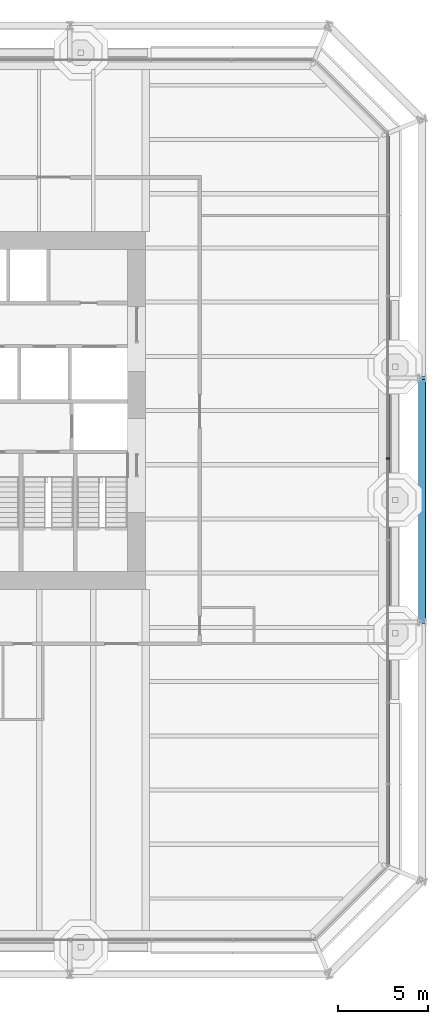
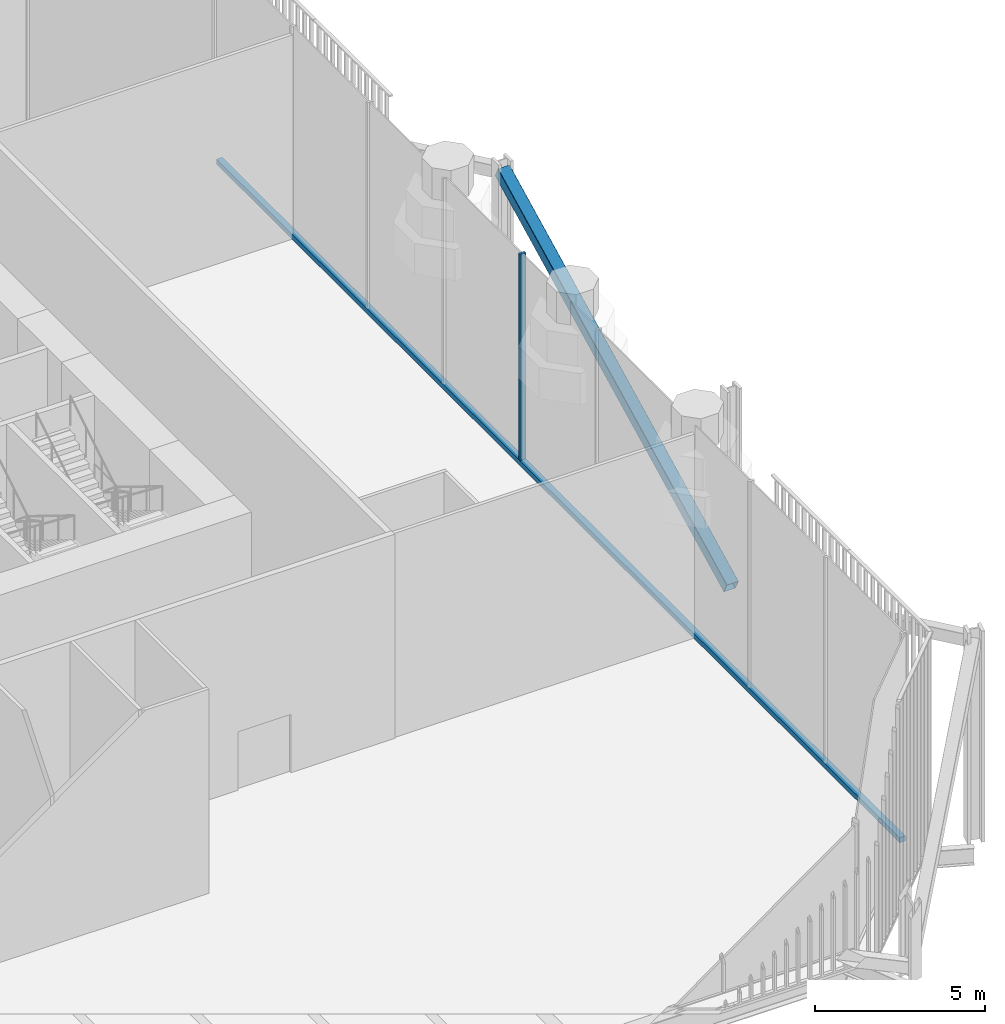
# One storey, part 7 of 18: 3 members, 1 element without a shape of its own.
"""IFC4 building model written with IfcOpenShell, lengths in metres."""

from ifc_helpers import new_model, si_unit, direction, frame, origin, origin_2d, place, context, subcontext, project, spatial, rectangle, hollow_rectangle, extrude, material, layer, layer_set, material_profile, profile_set, type_object, element, aggregate, save


model = new_model("IFC4")

# Units and contexts
model_context = context("Model", 3, precision=1e-05, world=origin(), true_north=direction((0.0, 1.0)))
body_context = subcontext(model_context, "Body", "Model", "MODEL_VIEW")
ifc_project = project(units=[si_unit("LENGTHUNIT", "METRE"), si_unit("AREAUNIT", "SQUARE_METRE"), si_unit("VOLUMEUNIT", "CUBIC_METRE"), si_unit("PLANEANGLEUNIT", "RADIAN"), si_unit("MASSUNIT", "GRAM", prefix="KILO")], contexts=[model_context])

# Site, building, storey
site_placement = place(None, origin())
site = spatial("IfcSite", under=ifc_project, at=site_placement, CompositionType="ELEMENT")
building_placement = place(site_placement, origin())
building = spatial("IfcBuilding", under=site, at=building_placement, Name="Millrace Tower", CompositionType="ELEMENT")
storey_placement = place(building_placement, frame((0.0, 0.0, 112.800048828125)))
storey = spatial("IfcBuildingStorey", under=building, at=storey_placement, Name="L25", CompositionType="ELEMENT", Elevation=112.800048828125)

# Curtain wall, members
ifc_material_1 = material(Name="Aluminium and glass", Category="aluminium")
ifc_layer = layer(ifc_material_1, 0.199951171875)
ifc_layer_set = layer_set([ifc_layer], Name="Aluminium and glass")
curtain_wall_type = type_object("IfcCurtainWallType", Name="CW-4 sky garden winter glazing", PredefinedType="NOTDEFINED", material=ifc_layer_set)
curtain_wall_placement = place(storey_placement, origin())
curtain_wall = element("IfcCurtainWall", 1, at=curtain_wall_placement, inside=storey, type_object=curtain_wall_type, Name="Curtain wall B-F04 L25", PredefinedType="NOTDEFINED")
ifc_material_2 = material(Name="Aluminium", Category="aluminium")
ifc_material_profile_1 = material_profile(ifc_material_2, rectangle(XDim=0.080078125, YDim=0.199951171875, at=origin_2d()))
ifc_profile_set_1 = profile_set([ifc_material_profile_1], Name="Aluminium")
member_type_1 = type_object("IfcMemberType", Name="CW-4 sky garden winter glazing mullion", PredefinedType="MULLION", material=ifc_profile_set_1)
member_1_placement = place(storey_placement, frame((28.300048828125, -2.659912109375, 0.179931640625), z_axis=(0.0, 0.0, 1.0), x_axis=(0.0, 1.0, 0.0)))
member_1 = element("IfcMember", 2, at=member_1_placement, type_object=member_type_1, Name="CW4 mullion B-F04.6", PredefinedType="MULLION", context=body_context, shape_type="SweptSolid", body=[
    extrude(rectangle(XDim=0.080078125, YDim=0.199951171875, at=origin_2d()), origin(), (0.0, 0.0, 1.0), 7.419921875),
])
ifc_material_3 = material(Name="Aluminium", Category="aluminium")
ifc_material_profile_2 = material_profile(ifc_material_3, rectangle(XDim=0.199951171875, YDim=0.179931640625, at=origin_2d()))
ifc_profile_set_2 = profile_set([ifc_material_profile_2], Name="Aluminium")
member_type_2 = type_object("IfcMemberType", Name="CW-4 sky garden winter glazing transom", PredefinedType="USERDEFINED", material=ifc_profile_set_2)
member_2_placement = place(storey_placement, frame((28.300048828125, -25.10009765625, 0.08984375), z_axis=(0.0, 1.0, 0.0), x_axis=(-1.0, 0.0, 0.0)))
member_2 = element("IfcMember", 3, at=member_2_placement, type_object=member_type_2, Name="CW4 transom B-F04.1", ObjectType="TRANSOM", PredefinedType="USERDEFINED", context=body_context, shape_type="SweptSolid", body=[
    extrude(rectangle(XDim=0.199951171875, YDim=0.179931640625, at=origin_2d()), origin(), (0.0, 0.0, 1.0), 40.300048828125),
])
aggregate(curtain_wall, [member_1, member_2])

# Member
ifc_material_4 = material(Name="Steel ASTM A500 Grade C", Category="steel")
ifc_material_profile_3 = material_profile(ifc_material_4, hollow_rectangle(XDim=0.406494140625, YDim=0.406494140625, WallThickness=0.0126953125, InnerFilletRadius=0.00634765625, OuterFilletRadius=0.01904296875, at=origin_2d()))
ifc_profile_set_3 = profile_set([ifc_material_profile_3], Name="Steel ASTM A500 Grade C")
member_type_3 = type_object("IfcMemberType", Name="Exoskeleton brace HSS16x16x1/2", PredefinedType="BRACE", material=ifc_profile_set_3)
member_3_placement = place(storey_placement, frame((30.199951171875, -11.699951171875, 0.39990234375), z_axis=(0.0, 0.893098867308, 0.449860437484), x_axis=(-1.0, 0.0, 0.0)))
element("IfcMember", 4, at=member_3_placement, inside=storey, type_object=member_type_3, Name="BRC-B-L25-07", PredefinedType="BRACE", context=body_context, shape_type="SweptSolid", body=[
    extrude(hollow_rectangle(XDim=0.406494140625, YDim=0.406494140625, WallThickness=0.0126953125, InnerFilletRadius=0.00634765625, OuterFilletRadius=0.01904296875, at=origin_2d()), origin(), (0.0, 0.0, 1.0), 15.115966796875),
])

save(model, "model.ifc")
